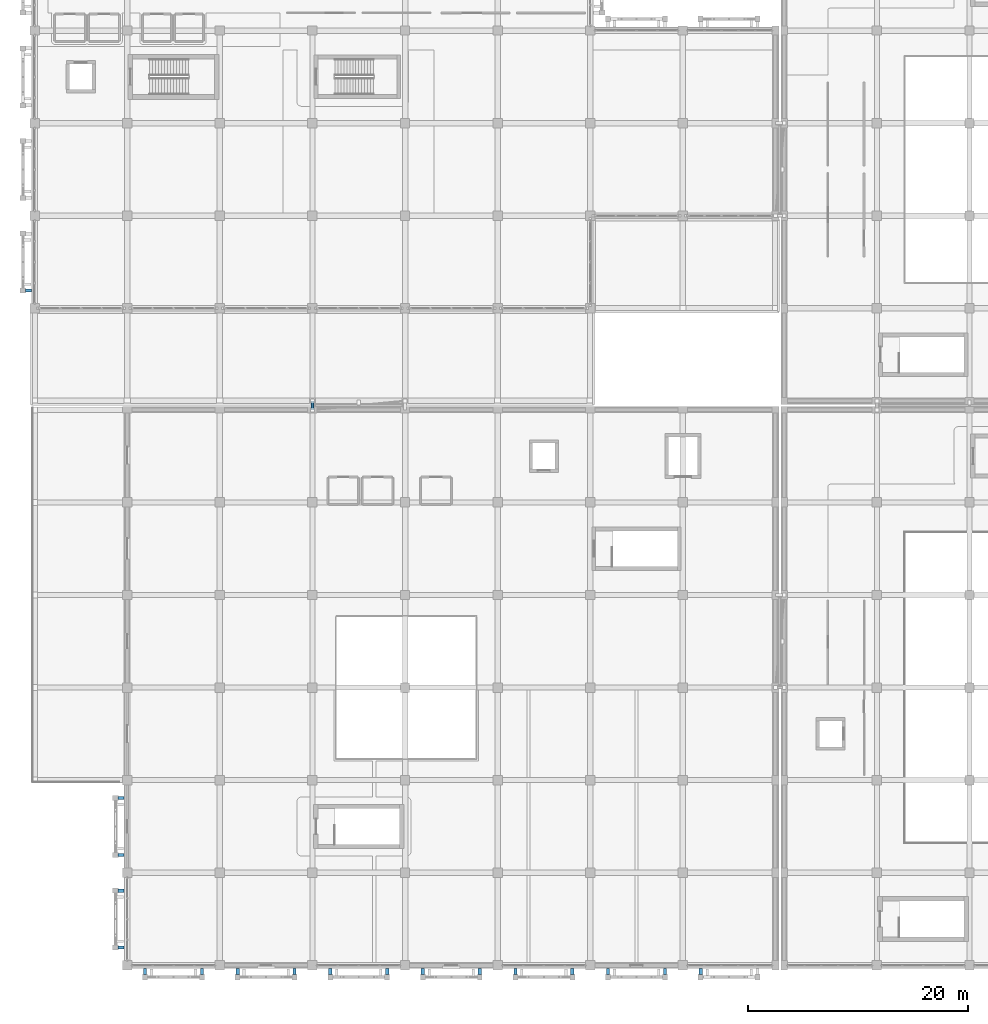
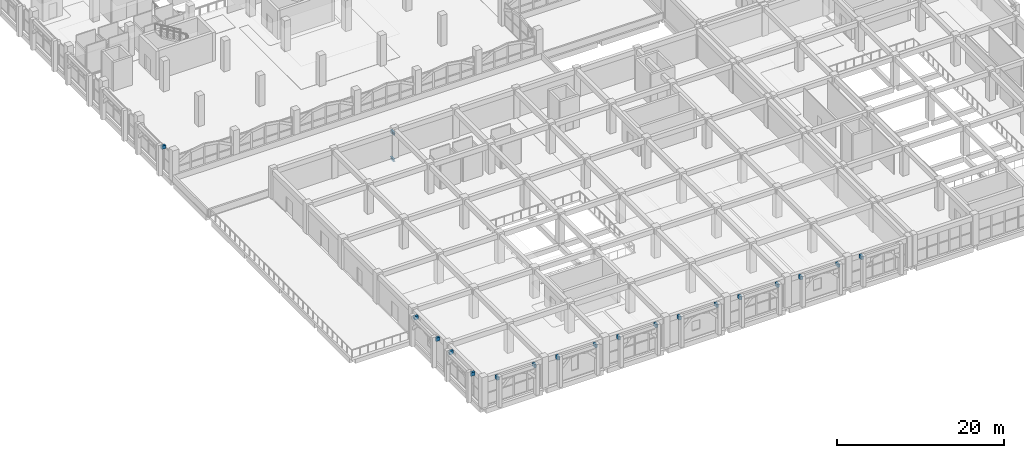
# One storey, part 72 of 129: 20 beams, 1 member.
"""IFC4 building model written with IfcOpenShell, lengths in metres."""

from ifc_helpers import new_model, si_unit, direction, frame, origin, origin_2d, place, context, subcontext, project, spatial, rectangle, hollow_rectangle, i_section, extrude, material, material_profile, profile_set, type_object, element, save


model = new_model("IFC4")

# Units and contexts
model_context = context("Model", 3, precision=1e-05, world=origin(), true_north=direction((0.0, 1.0)))
body_context = subcontext(model_context, "Body", "Model", "MODEL_VIEW")
ifc_project = project(units=[si_unit("LENGTHUNIT", "METRE"), si_unit("AREAUNIT", "SQUARE_METRE"), si_unit("VOLUMEUNIT", "CUBIC_METRE"), si_unit("PLANEANGLEUNIT", "RADIAN"), si_unit("MASSUNIT", "GRAM", prefix="KILO")], contexts=[model_context])

# Site, building, storey
site_placement = place(None, origin())
site = spatial("IfcSite", under=ifc_project, at=site_placement, CompositionType="ELEMENT")
building_placement = place(site_placement, origin())
building = spatial("IfcBuilding", under=site, at=building_placement, Name="Xazarin Passage Department Store", CompositionType="ELEMENT")
storey_placement = place(building_placement, frame((0.0, 0.0, 9.89990234375)))
storey = spatial("IfcBuildingStorey", under=building, at=storey_placement, Name="L02", CompositionType="ELEMENT", Elevation=9.89990234375)

# Beams
ifc_material_1 = material(Name="Steel S355", Category="steel")
ifc_material_profile_1 = material_profile(ifc_material_1, i_section(OverallWidth=0.300048828125, OverallDepth=0.360107421875, WebThickness=0.012451171875, FlangeThickness=0.0224609375, FilletRadius=0.027099609375, at=origin_2d()), Name="HEB 360")
ifc_profile_set_1 = profile_set([ifc_material_profile_1], Name="Steel S355")
beam_type_1 = type_object("IfcBeamType", Name="STR-BM-BR360", PredefinedType="BEAM", material=ifc_profile_set_1)
beam_1_placement = place(storey_placement, frame((25.199951171875, 50.39990234375, -0.52001953125), z_axis=(0.0, 1.0, 0.0), x_axis=(-1.0, 0.0, 0.0)))
element("IfcBeam", 1, at=beam_1_placement, inside=storey, type_object=beam_type_1, Name="L02 BR-V1-V3 Bridge Girder A", PredefinedType="BEAM", context=body_context, shape_type="SweptSolid", body=[
    extrude(i_section(OverallWidth=0.300048828125, OverallDepth=0.360107421875, WebThickness=0.012451171875, FlangeThickness=0.0224609375, FilletRadius=0.027099609375, at=origin_2d()), origin(), (0.0, 0.0, 1.0), 0.800048828125),
])
ifc_material_profile_2 = material_profile(ifc_material_1, i_section(OverallWidth=0.260009765625, OverallDepth=0.25, WebThickness=0.007568359375, FlangeThickness=0.012451171875, FilletRadius=0.02392578125, at=origin_2d()), Name="HEA 260")
ifc_profile_set_2 = profile_set([ifc_material_profile_2], Name="Steel S355")
beam_type_2 = type_object("IfcBeamType", Name="STR-BM-CAN260", PredefinedType="BEAM", material=ifc_profile_set_2)
beam_2_placement = place(storey_placement, frame((25.199951171875, 50.39990234375, 3.47509765625), z_axis=(0.0, 1.0, 0.0), x_axis=(-1.0, 0.0, 0.0)))
element("IfcBeam", 2, at=beam_2_placement, inside=storey, type_object=beam_type_2, Name="L02 BR-V1-V3 Bridge Roof Beam A", PredefinedType="BEAM", context=body_context, shape_type="SweptSolid", body=[
    extrude(i_section(OverallWidth=0.260009765625, OverallDepth=0.25, WebThickness=0.007568359375, FlangeThickness=0.012451171875, FilletRadius=0.02392578125, at=origin_2d()), origin(), (0.0, 0.0, 1.0), 0.800048828125),
])
ifc_material_2 = material(Name="Concrete C35/45", Category="concrete")
ifc_material_profile_3 = material_profile(ifc_material_2, rectangle(XDim=0.300048828125, YDim=0.5, at=origin_2d()), Name="RC 300x500")
ifc_profile_set_3 = profile_set([ifc_material_profile_3], Name="Concrete C35/45")
beam_type_3 = type_object("IfcBeamType", Name="STR-BM-LN300x500", PredefinedType="LINTEL", material=ifc_profile_set_3)
for number, where, z_axis, x_axis, name in (
    (3, (-0.280029296875, 61.219970703125, 3.9501953125), (-1.0, 0.0, 0.0), (0.0, -1.0, 0.0), "L02 V1 Colonnade Tie Rib 009L"),
    (4, (10.02001953125, -0.280029296875, 3.9501953125), (0.0, -1.0, 0.0), (1.0, 0.0, 0.0), "L02 V3 Colonnade Tie Rib 027L"),
    (5, (15.179931640625, -0.280029296875, 3.9501953125), (0.0, -1.0, 0.0), (1.0, 0.0, 0.0), "L02 V3 Colonnade Tie Rib 027R"),
    (6, (18.419921875, -0.280029296875, 3.9501953125), (0.0, -1.0, 0.0), (1.0, 0.0, 0.0), "L02 V3 Colonnade Tie Rib 028L"),
    (7, (23.580078125, -0.280029296875, 3.9501953125), (0.0, -1.0, 0.0), (1.0, 0.0, 0.0), "L02 V3 Colonnade Tie Rib 028R"),
    (8, (26.820068359375, -0.280029296875, 3.9501953125), (0.0, -1.0, 0.0), (1.0, 0.0, 0.0), "L02 V3 Colonnade Tie Rib 029L"),
    (9, (31.97998046875, -0.280029296875, 3.9501953125), (0.0, -1.0, 0.0), (1.0, 0.0, 0.0), "L02 V3 Colonnade Tie Rib 029R"),
    (10, (35.219970703125, -0.280029296875, 3.9501953125), (0.0, -1.0, 0.0), (1.0, 0.0, 0.0), "L02 V3 Colonnade Tie Rib 030L"),
    (11, (40.3798828125, -0.280029296875, 3.9501953125), (0.0, -1.0, 0.0), (1.0, 0.0, 0.0), "L02 V3 Colonnade Tie Rib 030R"),
    (12, (43.6201171875, -0.280029296875, 3.9501953125), (0.0, -1.0, 0.0), (1.0, 0.0, 0.0), "L02 V3 Colonnade Tie Rib 031L"),
    (13, (48.780029296875, -0.280029296875, 3.9501953125), (0.0, -1.0, 0.0), (1.0, 0.0, 0.0), "L02 V3 Colonnade Tie Rib 031R"),
    (14, (52.02001953125, -0.280029296875, 3.9501953125), (0.0, -1.0, 0.0), (1.0, 0.0, 0.0), "L02 V3 Colonnade Tie Rib 032L"),
    (15, (57.179931640625, -0.280029296875, 3.9501953125), (0.0, -1.0, 0.0), (1.0, 0.0, 0.0), "L02 V3 Colonnade Tie Rib 032R"),
    (16, (60.419921875, -0.280029296875, 3.9501953125), (0.0, -1.0, 0.0), (1.0, 0.0, 0.0), "L02 V3 Colonnade Tie Rib 033L"),
    (17, (8.1201171875, 1.6201171875, 3.9501953125), (-1.0, 0.0, 0.0), (0.0, -1.0, 0.0), "L02 V3 Colonnade Tie Rib 038L"),
    (18, (8.1201171875, 6.780029296875, 3.9501953125), (-1.0, 0.0, 0.0), (0.0, -1.0, 0.0), "L02 V3 Colonnade Tie Rib 038R"),
    (19, (8.1201171875, 10.02001953125, 3.9501953125), (-1.0, 0.0, 0.0), (0.0, -1.0, 0.0), "L02 V3 Colonnade Tie Rib 039L"),
    (20, (8.1201171875, 15.179931640625, 3.9501953125), (-1.0, 0.0, 0.0), (0.0, -1.0, 0.0), "L02 V3 Colonnade Tie Rib 039R"),
):
    element("IfcBeam", number, at=place(storey_placement, frame(where, z_axis=z_axis, x_axis=x_axis)), inside=storey, type_object=beam_type_3, Name=name, PredefinedType="LINTEL", context=body_context, shape_type="SweptSolid", body=[
        extrude(rectangle(XDim=0.300048828125, YDim=0.5, at=origin_2d()), origin(), (0.0, 0.0, 1.0), 0.550048828125),
    ])

# Member
ifc_material_profile_4 = material_profile(ifc_material_1, hollow_rectangle(XDim=0.14990234375, YDim=0.25, WallThickness=0.010009765625, at=origin_2d()), Name="RHS 250x150x10")
ifc_profile_set_4 = profile_set([ifc_material_profile_4], Name="Steel S355")
member_type = type_object("IfcMemberType", Name="STR-MEM-CH250", PredefinedType="CHORD", material=ifc_profile_set_4)
member_placement = place(storey_placement, frame((25.199951171875, 50.39990234375, 3.25), z_axis=(0.0, 1.0, 0.0), x_axis=(-1.0, 0.0, 0.0)))
element("IfcMember", 21, at=member_placement, inside=storey, type_object=member_type, Name="L02 BR-V1-V3 Bridge Chord A", PredefinedType="CHORD", context=body_context, shape_type="SweptSolid", body=[
    extrude(hollow_rectangle(XDim=0.14990234375, YDim=0.25, WallThickness=0.010009765625, at=origin_2d()), origin(), (0.0, 0.0, 1.0), 0.800048828125),
])

save(model, "model.ifc")
